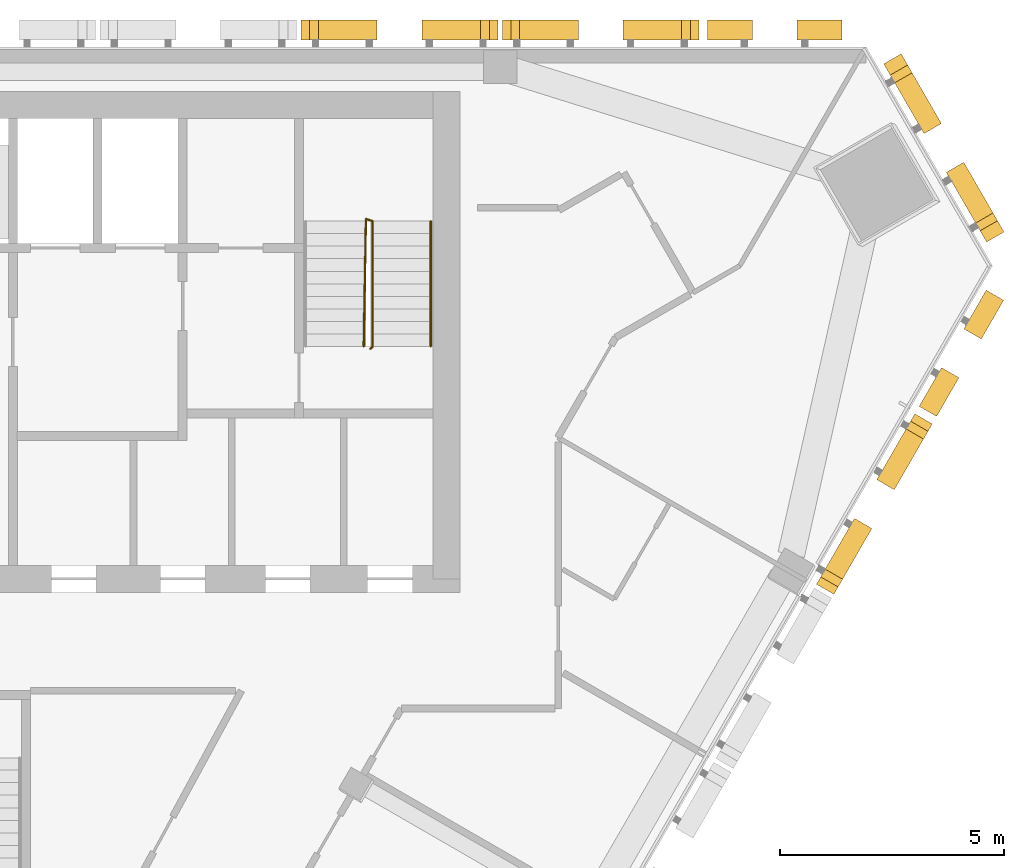
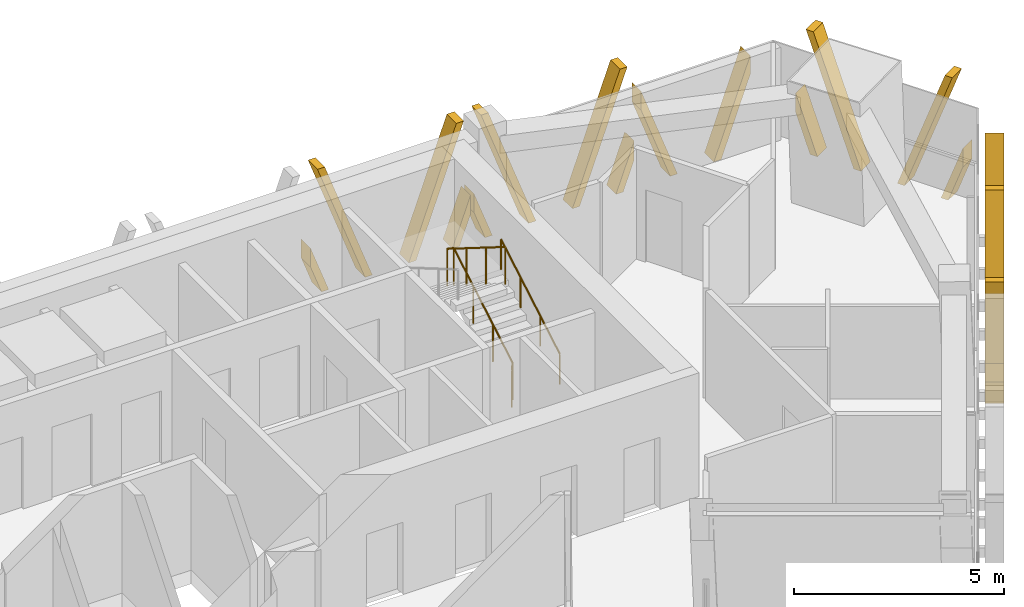
# One storey, part 13 of 14: 6 shading devices, 2 railings.
"""IFC4 building model written with IfcOpenShell, lengths in metres."""

from ifc_helpers import new_model, si_unit, direction, frame, origin, origin_2d, place, context, subcontext, project, spatial, polyline, circle, outline, extrude, source, transform, mapped, material, type_object, element, save


model = new_model("IFC4")

# Units and contexts
model_context = context("Model", 3, precision=1e-05, world=origin(), true_north=direction((0.0, 1.0)))
body_context = subcontext(model_context, "Body", "Model", "MODEL_VIEW")
ifc_project = project(units=[si_unit("LENGTHUNIT", "METRE"), si_unit("AREAUNIT", "SQUARE_METRE"), si_unit("VOLUMEUNIT", "CUBIC_METRE"), si_unit("PLANEANGLEUNIT", "RADIAN"), si_unit("MASSUNIT", "GRAM", prefix="KILO")], contexts=[model_context])

# Site, building, storey
site_placement = place(None, origin())
site = spatial("IfcSite", under=ifc_project, at=site_placement, CompositionType="ELEMENT")
building_placement = place(site_placement, origin())
building = spatial("IfcBuilding", under=site, at=building_placement, Name="Altiplano Prism Tower", CompositionType="ELEMENT")
storey_placement = place(building_placement, frame((0.0, 0.0, 230.199951171875)))
storey = spatial("IfcBuildingStorey", under=building, at=storey_placement, Name="L59", CompositionType="ELEMENT", Elevation=230.199951171875)

# Railings
ifc_material_1 = material(Name="Steel S355", Category="steel")
railing_type_1 = type_object("IfcRailingType", Name="Stair guard 1100", PredefinedType="GUARDRAIL", material=ifc_material_1)
railing_1_placement = place(storey_placement, frame((95.60009765625, 98.25, 0.0)))
element("IfcRailing", 1, at=railing_1_placement, inside=storey, type_object=railing_type_1, Name="L59 ST2 stair guard 1", PredefinedType="GUARDRAIL", context=body_context, shape_type="SweptSolid", body=[
    extrude(circle(Radius=0.02392578125, at=origin_2d()), frame((0.0, 0.0, 1.076171875), z_axis=(0.279546231943, 0.280916556609, 0.91811752648), x_axis=(-0.708833529934, 0.705375805398, 0.0)), (0.0, 0.0, 1.0), 0.17822265625),
    extrude(circle(Radius=0.02392578125, at=origin_2d()), frame((0.0498046875, 0.050048828125, 1.23974609375), z_axis=(0.0, 0.863360870873, 0.504586966384), x_axis=(-1.0, 0.0, 0.0)), (0.0, 0.0, 1.0), 3.2431640625),
    extrude(circle(Radius=0.02392578125, at=origin_2d()), frame((0.0498046875, 2.85009765625, 2.8759765625), z_axis=(-0.948991962702, 0.315300261223, 0.0), x_axis=(-0.315300261223, -0.948991962702, 0.0)), (0.0, 0.0, 1.0), 0.157958984375),
    extrude(circle(Radius=0.02392578125, at=origin_2d()), frame((-0.10009765625, 2.89990234375, 2.8759765625), z_axis=(-0.014846418356, -0.845376787675, 0.533964109957), x_axis=(0.999845825584, -0.017559187376, 0.0)), (0.0, 0.0, 1.0), 3.37109375),
    extrude(circle(Radius=0.02099609375, at=origin_2d()), origin(), (0.0, 0.0, 1.0), 1.052001953125),
    extrude(circle(Radius=0.02099609375, at=origin_2d()), frame((0.0498046875, 0.050048828125, 0.16357421875)), (0.0, 0.0, 1.0), 1.052001953125),
    extrude(circle(Radius=0.02099609375, at=origin_2d()), frame((0.0498046875, 0.9833984375, 0.708984375)), (0.0, 0.0, 1.0), 1.052001953125),
    extrude(circle(Radius=0.02099609375, at=origin_2d()), frame((0.0498046875, 1.916748046875, 1.254638671875)), (0.0, 0.0, 1.0), 1.052001953125),
    extrude(circle(Radius=0.02099609375, at=origin_2d()), frame((0.0498046875, 2.85009765625, 1.800048828125)), (0.0, 0.0, 1.0), 1.052001953125),
    extrude(circle(Radius=0.02099609375, at=origin_2d()), frame((-0.10009765625, 2.89990234375, 1.800048828125)), (0.0, 0.0, 1.0), 1.052001953125),
    extrude(circle(Radius=0.02099609375, at=origin_2d()), frame((-0.11669921875, 1.949951171875, 2.400146484375)), (0.0, 0.0, 1.0), 1.052001953125),
    extrude(circle(Radius=0.02099609375, at=origin_2d()), frame((-0.133544921875, 1.0, 3.0)), (0.0, 0.0, 1.0), 1.052001953125),
    extrude(circle(Radius=0.02099609375, at=origin_2d()), frame((-0.150146484375, 0.050048828125, 3.60009765625)), (0.0, 0.0, 1.0), 1.052001953125),
])
railing_type_2 = type_object("IfcRailingType", Name="Stair handrail 900", PredefinedType="HANDRAIL", material=ifc_material_1)
railing_2_placement = place(storey_placement, frame((96.949951171875, 98.300048828125, 0.16357421875)))
element("IfcRailing", 2, at=railing_2_placement, inside=storey, type_object=railing_type_2, Name="L59 ST2 stair handrail 1", PredefinedType="HANDRAIL", context=body_context, shape_type="SweptSolid", body=[
    extrude(circle(Radius=0.02392578125, at=origin_2d()), frame((0.0, 0.0, 0.8759765625), z_axis=(0.0, 0.863360870873, 0.504586966384), x_axis=(-1.0, 0.0, 0.0)), (0.0, 0.0, 1.0), 3.2431640625),
    extrude(circle(Radius=0.02099609375, at=origin_2d()), origin(), (0.0, 0.0, 1.0), 0.851806640625),
    extrude(circle(Radius=0.02099609375, at=origin_2d()), frame((0.0, 0.933349609375, 0.54541015625)), (0.0, 0.0, 1.0), 0.851806640625),
    extrude(circle(Radius=0.02099609375, at=origin_2d()), frame((0.0, 1.86669921875, 1.091064453125)), (0.0, 0.0, 1.0), 0.851806640625),
    extrude(circle(Radius=0.02099609375, at=origin_2d()), frame((0.0, 2.800048828125, 1.636474609375)), (0.0, 0.0, 1.0), 0.851806640625),
])

# Shading devices
ifc_material_2 = material(Name="Warm limestone cast stone", Category="masonry")
shading_device_type_1 = type_object("IfcShadingDeviceType", Name="Stone fin panel, standard unit", PredefinedType="USERDEFINED", material=ifc_material_2)
shared_shape_1 = source(origin(), body_context, "Body", "SweptSolid", [
    extrude(outline(polyline([(-2.199951171875, 1.373779296875), (-2.199951171875, 0.82421875), (-1.89990234375, 0.0), (-1.699951171875, 0.0), (-2.199951171875, 1.373779296875)])), frame((0.0, -0.14990234375, 0.0), z_axis=(0.0, -1.0, 0.0), x_axis=(1.0, 0.0, 0.0)), (0.0, 0.0, 1.0), 0.4501953125),
    extrude(outline(polyline([(-2.01025390625, 3.60009765625), (-0.699951171875, 0.0), (-0.5, 0.0), (-1.810302734375, 3.60009765625), (-2.01025390625, 3.60009765625)])), frame((0.0, -0.14990234375, 0.0), z_axis=(0.0, -1.0, 0.0), x_axis=(1.0, 0.0, 0.0)), (0.0, 0.0, 1.0), 0.4501953125),
    extrude(outline(polyline([(1.810302734375, 3.60009765625), (0.5, 0.0), (0.699951171875, 0.0), (2.01025390625, 3.60009765625), (1.810302734375, 3.60009765625)])), frame((0.0, -0.14990234375, 0.0), z_axis=(0.0, -1.0, 0.0), x_axis=(1.0, 0.0, 0.0)), (0.0, 0.0, 1.0), 0.4501953125),
    extrude(outline(polyline([(2.199951171875, 0.82421875), (2.199951171875, 1.373779296875), (1.699951171875, 0.0), (1.89990234375, 0.0), (2.199951171875, 0.82421875)])), frame((0.0, -0.14990234375, 0.0), z_axis=(0.0, -1.0, 0.0), x_axis=(1.0, 0.0, 0.0)), (0.0, 0.0, 1.0), 0.4501953125),
])
shading_device_1_placement = place(storey_placement, origin())
element("IfcShadingDevice", 3, at=shading_device_1_placement, inside=storey, type_object=shading_device_type_1, Name="Fin L59 north face 2", ObjectType="FIN", PredefinedType="USERDEFINED", context=body_context, shape_type="MappedRepresentation", body=[
    mapped(shared_shape_1, transform((100.75, 105.0, -0.39990234375), x_axis=(-1.0, 0.0, 0.0), y_axis=(0.0, -1.0, 0.0), z_axis=(0.0, 0.0, 1.0))),
])
shading_device_2_placement = place(storey_placement, origin())
element("IfcShadingDevice", 4, at=shading_device_2_placement, inside=storey, type_object=shading_device_type_1, Name="Fin L59 north face 3", ObjectType="FIN", PredefinedType="USERDEFINED", context=body_context, shape_type="MappedRepresentation", body=[
    mapped(shared_shape_1, transform((96.25, 105.0, -0.39990234375), x_axis=(-1.0, 0.0, 0.0), y_axis=(0.0, -1.0, 0.0), z_axis=(0.0, 0.0, 1.0))),
])
shading_device_3_placement = place(storey_placement, origin())
element("IfcShadingDevice", 5, at=shading_device_3_placement, inside=storey, type_object=shading_device_type_1, Name="Fin L59 south-east face 9", ObjectType="FIN", PredefinedType="USERDEFINED", context=body_context, shape_type="MappedRepresentation", body=[
    mapped(shared_shape_1, transform((106.546630859375, 94.9599609375, -0.39990234375), x_axis=(0.500000005706, 0.86602540049, 0.0), y_axis=(-0.86602540049, 0.500000005706, 0.0), z_axis=(0.0, 0.0, 1.0))),
])
shading_device_type_2 = type_object("IfcShadingDeviceType", Name="Stone fin panel, narrow closing bay", PredefinedType="USERDEFINED", material=ifc_material_2)
shared_shape_2 = source(origin(), body_context, "Body", "SweptSolid", [
    extrude(outline(polyline([(-1.5, 2.74755859375), (-1.5, 2.197998046875), (-0.699951171875, 0.0), (-0.5, 0.0), (-1.5, 2.74755859375)])), frame((0.0, -0.14990234375, 0.0), z_axis=(0.0, -1.0, 0.0), x_axis=(1.0, 0.0, 0.0)), (0.0, 0.0, 1.0), 0.4501953125),
    extrude(outline(polyline([(1.5, 2.197998046875), (1.5, 2.74755859375), (0.5, 0.0), (0.699951171875, 0.0), (1.5, 2.197998046875)])), frame((0.0, -0.14990234375, 0.0), z_axis=(0.0, -1.0, 0.0), x_axis=(1.0, 0.0, 0.0)), (0.0, 0.0, 1.0), 0.4501953125),
])
shading_device_4_placement = place(storey_placement, origin())
element("IfcShadingDevice", 6, at=shading_device_4_placement, inside=storey, type_object=shading_device_type_2, Name="Fin L59 north face 1", ObjectType="FIN", PredefinedType="USERDEFINED", context=body_context, shape_type="MappedRepresentation", body=[
    mapped(shared_shape_2, transform((104.643798828125, 105.0, -0.39990234375), x_axis=(-1.0, 0.0, 0.0), y_axis=(0.0, -1.0, 0.0), z_axis=(0.0, 0.0, 1.0))),
])
shading_device_5_placement = place(storey_placement, origin())
element("IfcShadingDevice", 7, at=shading_device_5_placement, inside=storey, type_object=shading_device_type_2, Name="Fin L59 south-east face 10", ObjectType="FIN", PredefinedType="USERDEFINED", context=body_context, shape_type="MappedRepresentation", body=[
    mapped(shared_shape_2, transform((108.493408203125, 98.332275390625, -0.39990234375), x_axis=(0.500000005706, 0.86602540049, 0.0), y_axis=(-0.86602540049, 0.500000005706, 0.0), z_axis=(0.0, 0.0, 1.0))),
])
shading_device_type_3 = type_object("IfcShadingDeviceType", Name="Stone fin panel, chamfer unit", PredefinedType="USERDEFINED", material=ifc_material_2)
shared_shape_3 = source(origin(), body_context, "Body", "SweptSolid", [
    extrude(outline(polyline([(-2.300048828125, 1.6484375), (-2.300048828125, 1.09912109375), (-1.89990234375, 0.0), (-1.699951171875, 0.0), (-2.300048828125, 1.6484375)])), frame((0.0, -0.14990234375, 0.0), z_axis=(0.0, -1.0, 0.0), x_axis=(1.0, 0.0, 0.0)), (0.0, 0.0, 1.0), 0.4501953125),
    extrude(outline(polyline([(-2.01025390625, 3.60009765625), (-0.699951171875, 0.0), (-0.5, 0.0), (-1.810302734375, 3.60009765625), (-2.01025390625, 3.60009765625)])), frame((0.0, -0.14990234375, 0.0), z_axis=(0.0, -1.0, 0.0), x_axis=(1.0, 0.0, 0.0)), (0.0, 0.0, 1.0), 0.4501953125),
    extrude(outline(polyline([(1.810302734375, 3.60009765625), (0.5, 0.0), (0.699951171875, 0.0), (2.01025390625, 3.60009765625), (1.810302734375, 3.60009765625)])), frame((0.0, -0.14990234375, 0.0), z_axis=(0.0, -1.0, 0.0), x_axis=(1.0, 0.0, 0.0)), (0.0, 0.0, 1.0), 0.4501953125),
    extrude(outline(polyline([(2.300048828125, 1.09912109375), (2.300048828125, 1.6484375), (1.699951171875, 0.0), (1.89990234375, 0.0), (2.300048828125, 1.09912109375)])), frame((0.0, -0.14990234375, 0.0), z_axis=(0.0, -1.0, 0.0), x_axis=(1.0, 0.0, 0.0)), (0.0, 0.0, 1.0), 0.4501953125),
])
shading_device_6_placement = place(storey_placement, origin())
element("IfcShadingDevice", 8, at=shading_device_6_placement, inside=storey, type_object=shading_device_type_3, Name="Fin L59 north-east chamfer 1", ObjectType="FIN", PredefinedType="USERDEFINED", context=body_context, shape_type="MappedRepresentation", body=[
    mapped(shared_shape_3, transform((108.1015625, 102.551025390625, -0.39990234375), x_axis=(-0.499999996791, 0.866025405637, 0.0), y_axis=(-0.866025405637, -0.499999996791, 0.0), z_axis=(0.0, 0.0, 1.0))),
])

save(model, "model.ifc")
